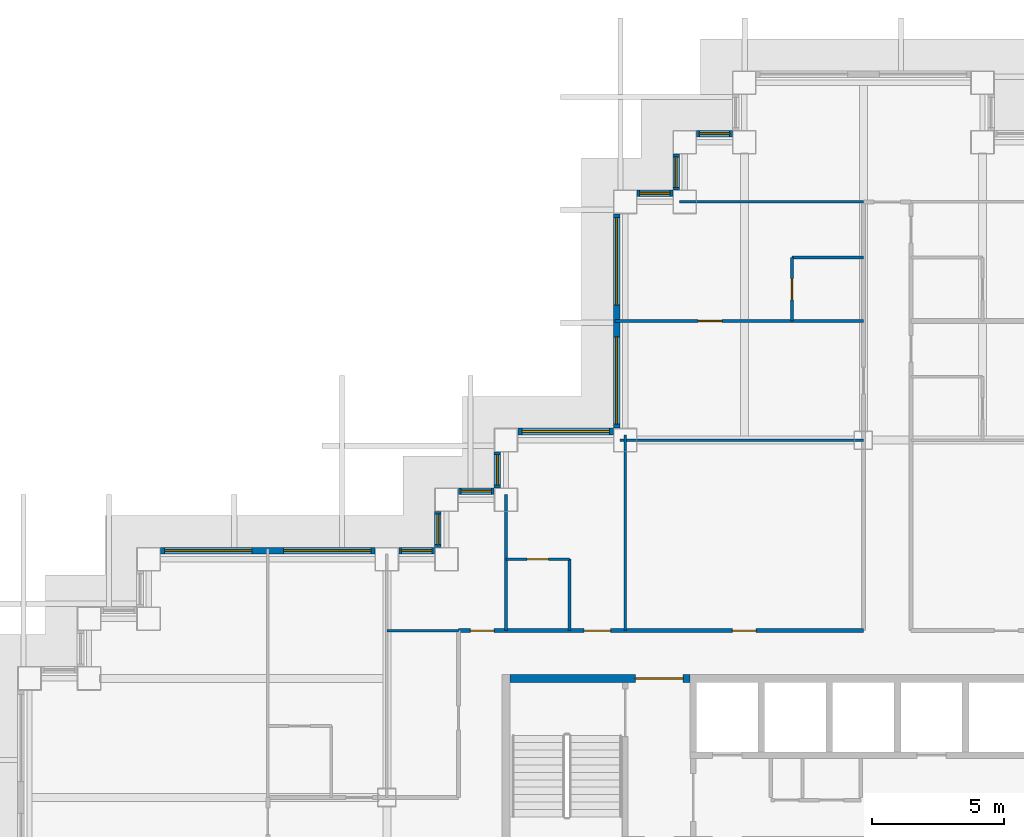
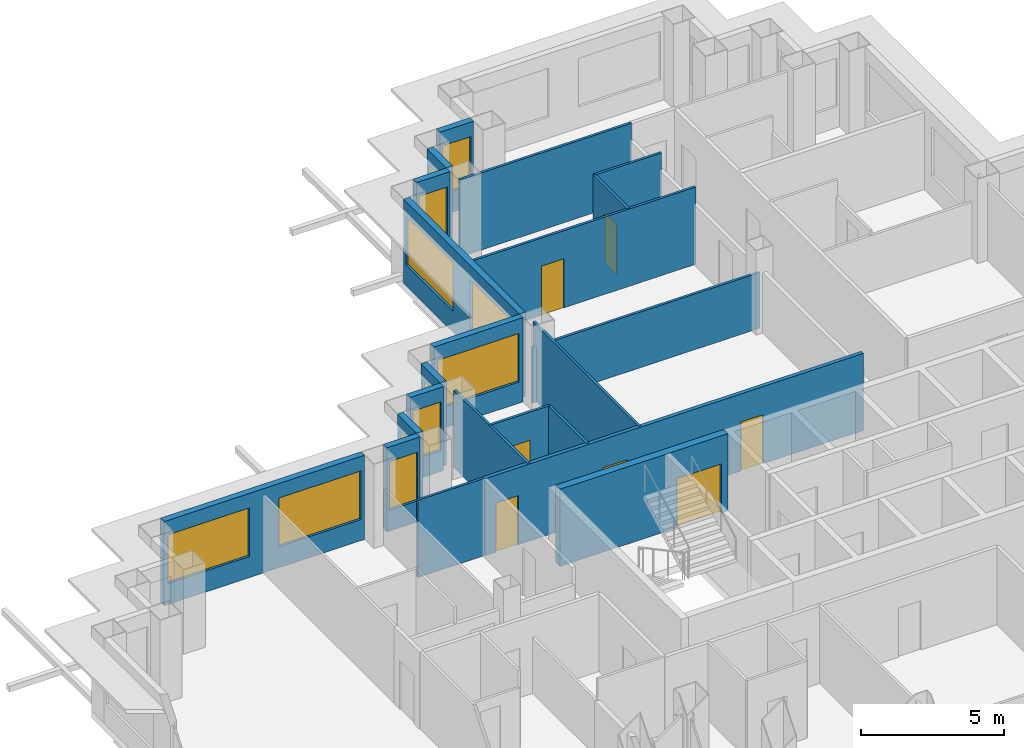
# One storey, part 7 of 15: 22 walls, 12 windows, 7 doors, 19 openings.
"""IFC4 building model written with IfcOpenShell, lengths in metres."""

from ifc_helpers import new_model, si_unit, direction, frame, frame_2d, origin, place, context, subcontext, project, spatial, rectangle, extrude, material, layer, layer_set, type_object, element, fill, save


model = new_model("IFC4")

# Units and contexts
model_context = context("Model", 3, precision=1e-05, world=origin(), true_north=direction((0.0, 1.0)))
body_context = subcontext(model_context, "Body", "Model", "MODEL_VIEW")
ifc_project = project(units=[si_unit("LENGTHUNIT", "METRE"), si_unit("AREAUNIT", "SQUARE_METRE"), si_unit("VOLUMEUNIT", "CUBIC_METRE"), si_unit("PLANEANGLEUNIT", "RADIAN"), si_unit("MASSUNIT", "GRAM", prefix="KILO")], contexts=[model_context])

# Site, building, storey
site_placement = place(None, origin())
site = spatial("IfcSite", under=ifc_project, at=site_placement, CompositionType="ELEMENT")
building_placement = place(site_placement, origin())
building = spatial("IfcBuilding", under=site, at=building_placement, Name="Caravel Reach Hotel and Residences", CompositionType="ELEMENT")
storey_placement = place(building_placement, frame((0.0, 0.0, 111.60009765625)))
storey = spatial("IfcBuildingStorey", under=building, at=storey_placement, Name="L27", CompositionType="ELEMENT", Elevation=111.60009765625)

# Wall, opening, door
ifc_material_1 = material(Name="Gypsum board on steel stud", Category="steel")
ifc_layer_1 = layer(ifc_material_1, 0.10009765625)
ifc_layer_set_1 = layer_set([ifc_layer_1], Name="Bathroom pod wall 100 mm")
wall_type_1 = type_object("IfcWallType", Name="Bathroom pod wall 100 mm", PredefinedType="PARTITIONING", material=ifc_layer_set_1)
wall_1_placement = place(storey_placement, frame((18.0, 36.0, 0.0), z_axis=(0.0, 0.0, 1.0), x_axis=(1.0, 0.0, 0.0)))
wall_1 = element("IfcWall", 1, at=wall_1_placement, inside=storey, type_object=wall_type_1, Name="L27 wall w075", PredefinedType="PARTITIONING", context=body_context, shape_type="SweptSolid", body=[
    extrude(rectangle(XDim=2.39990234375, YDim=0.10009765625, at=frame_2d((1.199951171875, 0.0))), origin(), (0.0, 0.0, 1.0), 3.2998046875),
])
opening_1_placement = place(wall_1_placement, frame((0.800048828125, 0.0, 0.0)))
opening_1 = element("IfcOpeningElement", 2, at=opening_1_placement, cuts=wall_1, Name="Opening D27-040", PredefinedType="OPENING", context=body_context, shape_type="SweptSolid", body=[
    extrude(rectangle(XDim=0.800048828125, YDim=2.10009765625, at=frame_2d((0.39990234375, 1.050048828125))), frame((0.0, 0.06005859375, 0.0), z_axis=(0.0, -1.0, 0.0), x_axis=(1.0, 0.0, 0.0)), (0.0, 0.0, 1.0), 0.1201171875),
])
ifc_material_2 = material(Name="Timber and steel door leaf", Category="steel")
door_type_1 = type_object("IfcDoorType", Name="Bathroom door 800 x 2100", OperationType="SINGLE_SWING_LEFT", PredefinedType="DOOR", material=ifc_material_2)
door_1_placement = place(opening_1_placement, origin())
door_1 = element("IfcDoor", 3, at=door_1_placement, inside=storey, type_object=door_type_1, Name="door D27-040", OperationType="SINGLE_SWING_LEFT", OverallHeight=2.10009765625, OverallWidth=0.800048828125, PredefinedType="DOOR", context=body_context, shape_type="SweptSolid", body=[
    extrude(rectangle(XDim=0.800048828125, YDim=2.10009765625, at=frame_2d((0.39990234375, 1.050048828125))), frame((0.0, 0.02490234375, 0.0), z_axis=(0.0, -1.0, 0.0), x_axis=(1.0, 0.0, 0.0)), (0.0, 0.0, 1.0), 0.050048828125),
])
fill(opening_1, door_1)

# Walls
for number, where, z_axis, x_axis, name in (
    (4, (28.800048828125, 47.39990234375, 0.0), (0.0, 0.0, 1.0), (1.0, 0.0, 0.0), "L27 wall w079"),
    (5, (20.39990234375, 33.300048828125, 0.0), (0.0, 0.0, 1.0), (0.0, 1.0, 0.0), "L27 wall w083"),
):
    element("IfcWall", number, at=place(storey_placement, frame(where, z_axis=z_axis, x_axis=x_axis)), inside=storey, type_object=wall_type_1, Name=name, PredefinedType="PARTITIONING", context=body_context, shape_type="SweptSolid", body=[
        extrude(rectangle(XDim=2.699951171875, YDim=0.10009765625, at=frame_2d((1.35009765625, 0.0))), origin(), (0.0, 0.0, 1.0), 3.2998046875),
    ])

# Wall, opening, door
wall_2_placement = place(storey_placement, frame((28.800048828125, 45.0, 0.0), z_axis=(0.0, 0.0, 1.0), x_axis=(0.0, 1.0, 0.0)))
wall_2 = element("IfcWall", 6, at=wall_2_placement, inside=storey, type_object=wall_type_1, Name="L27 wall w086", PredefinedType="PARTITIONING", context=body_context, shape_type="SweptSolid", body=[
    extrude(rectangle(XDim=2.39990234375, YDim=0.10009765625, at=frame_2d((1.199951171875, 0.0))), origin(), (0.0, 0.0, 1.0), 3.2998046875),
])
opening_2_placement = place(wall_2_placement, frame((0.800048828125, 0.0, 0.0)))
opening_2 = element("IfcOpeningElement", 7, at=opening_2_placement, cuts=wall_2, Name="Opening D27-026", PredefinedType="OPENING", context=body_context, shape_type="SweptSolid", body=[
    extrude(rectangle(XDim=0.800048828125, YDim=2.10009765625, at=frame_2d((0.39990234375, 1.050048828125))), frame((0.0, 0.06005859375, 0.0), z_axis=(0.0, -1.0, 0.0), x_axis=(1.0, 0.0, 0.0)), (0.0, 0.0, 1.0), 0.1201171875),
])
door_2_placement = place(opening_2_placement, origin())
door_2 = element("IfcDoor", 8, at=door_2_placement, inside=storey, type_object=door_type_1, Name="door D27-026", OperationType="SINGLE_SWING_LEFT", OverallHeight=2.10009765625, OverallWidth=0.800048828125, PredefinedType="DOOR", context=body_context, shape_type="SweptSolid", body=[
    extrude(rectangle(XDim=0.800048828125, YDim=2.10009765625, at=frame_2d((0.39990234375, 1.050048828125))), frame((0.0, 0.02490234375, 0.0), z_axis=(0.0, -1.0, 0.0), x_axis=(1.0, 0.0, 0.0)), (0.0, 0.0, 1.0), 0.050048828125),
])
fill(opening_2, door_2)

ifc_material_3 = material(Name="Concrete C60", Category="concrete")
ifc_layer_2 = layer(ifc_material_3, 0.300048828125)
ifc_layer_set_2 = layer_set([ifc_layer_2], Name="Core wall 300 mm EI 120")
wall_type_2 = type_object("IfcWallType", Name="Core wall 300 mm EI 120", PredefinedType="SHEAR", material=ifc_layer_set_2)
wall_3_placement = place(storey_placement, frame((18.14990234375, 31.5, 0.0), z_axis=(0.0, 0.0, 1.0), x_axis=(1.0, 0.0, 0.0)))
wall_3 = element("IfcWall", 9, at=wall_3_placement, inside=storey, type_object=wall_type_2, Name="L27 core wall N1", PredefinedType="SHEAR", context=body_context, shape_type="SweptSolid", body=[
    extrude(rectangle(XDim=6.796630859375, YDim=0.300048828125, at=frame_2d((3.3984375, 0.0))), origin(), (0.0, 0.0, 1.0), 3.2998046875),
])
opening_3_placement = place(wall_3_placement, frame((4.735595703125, 0.0, 0.0)))
opening_3 = element("IfcOpeningElement", 10, at=opening_3_placement, cuts=wall_3, Name="Opening D27-014", PredefinedType="OPENING", context=body_context, shape_type="SweptSolid", body=[
    extrude(rectangle(XDim=1.800048828125, YDim=2.10009765625, at=frame_2d((0.89990234375, 1.050048828125))), frame((0.0, 0.159912109375, 0.0), z_axis=(0.0, -1.0, 0.0), x_axis=(1.0, 0.0, 0.0)), (0.0, 0.0, 1.0), 0.320068359375),
])
ifc_material_4 = material(Name="Steel fire door leaf", Category="steel")
door_type_2 = type_object("IfcDoorType", Name="Fire lobby door pair 1800 x 2100 EI 90", OperationType="DOUBLE_DOOR_SINGLE_SWING", PredefinedType="DOOR", material=ifc_material_4)
door_3_placement = place(opening_3_placement, origin())
door_3 = element("IfcDoor", 11, at=door_3_placement, inside=storey, type_object=door_type_2, Name="lobby N door pair to corridor", OperationType="DOUBLE_DOOR_SINGLE_SWING", OverallHeight=2.10009765625, OverallWidth=1.800048828125, PredefinedType="DOOR", context=body_context, shape_type="SweptSolid", body=[
    extrude(rectangle(XDim=1.800048828125, YDim=2.10009765625, at=frame_2d((0.89990234375, 1.050048828125))), frame((0.0, 0.02490234375, 0.0), z_axis=(0.0, -1.0, 0.0), x_axis=(1.0, 0.0, 0.0)), (0.0, 0.0, 1.0), 0.050048828125),
])
fill(opening_3, door_3)

# Wall, openings, doors
ifc_material_5 = material(Name="Gypsum board on steel stud, fire-rated", Category="steel")
ifc_layer_3 = layer(ifc_material_5, 0.14990234375)
ifc_layer_set_3 = layer_set([ifc_layer_3], Name="Corridor wall 150 mm EI 60")
wall_type_3 = type_object("IfcWallType", Name="Corridor wall 150 mm EI 60", PredefinedType="PARTITIONING", material=ifc_layer_set_3)
wall_4_placement = place(storey_placement, frame((16.199951171875, 33.300048828125, 0.0), z_axis=(0.0, 0.0, 1.0), x_axis=(1.0, 0.0, 0.0)))
wall_4 = element("IfcWall", 12, at=wall_4_placement, inside=storey, type_object=wall_type_3, Name="L27 wall w018", PredefinedType="PARTITIONING", context=body_context, shape_type="SweptSolid", body=[
    extrude(rectangle(XDim=15.300048828125, YDim=0.14990234375, at=frame_2d((7.64990234375, 0.0))), origin(), (0.0, 0.0, 1.0), 3.2998046875),
])
opening_4_placement = place(wall_4_placement, frame((4.75, 0.0, 0.0)))
opening_4 = element("IfcOpeningElement", 13, at=opening_4_placement, cuts=wall_4, Name="Opening D27-039", PredefinedType="OPENING", context=body_context, shape_type="SweptSolid", body=[
    extrude(rectangle(XDim=1.0, YDim=2.10009765625, at=frame_2d((0.5, 1.050048828125))), frame((0.0, 0.0849609375, 0.0), z_axis=(0.0, -1.0, 0.0), x_axis=(1.0, 0.0, 0.0)), (0.0, 0.0, 1.0), 0.169921875),
])
opening_5_placement = place(wall_4_placement, frame((0.449951171875, 0.0, 0.0)))
opening_5 = element("IfcOpeningElement", 14, at=opening_5_placement, cuts=wall_4, Name="Opening D27-041", PredefinedType="OPENING", context=body_context, shape_type="SweptSolid", body=[
    extrude(rectangle(XDim=0.89990234375, YDim=2.10009765625, at=frame_2d((0.449951171875, 1.050048828125))), frame((0.0, 0.0849609375, 0.0), z_axis=(0.0, -1.0, 0.0), x_axis=(1.0, 0.0, 0.0)), (0.0, 0.0, 1.0), 0.169921875),
])
opening_6_placement = place(wall_4_placement, frame((10.35009765625, 0.0, 0.0)))
opening_6 = element("IfcOpeningElement", 15, at=opening_6_placement, cuts=wall_4, Name="Opening D27-050", PredefinedType="OPENING", context=body_context, shape_type="SweptSolid", body=[
    extrude(rectangle(XDim=0.89990234375, YDim=2.10009765625, at=frame_2d((0.449951171875, 1.050048828125))), frame((0.0, 0.0849609375, 0.0), z_axis=(0.0, -1.0, 0.0), x_axis=(1.0, 0.0, 0.0)), (0.0, 0.0, 1.0), 0.169921875),
])
ifc_material_6 = material(Name="Timber and steel door leaf", Category="steel")
door_type_3 = type_object("IfcDoorType", Name="Door 900 x 2100 timber", OperationType="SINGLE_SWING_LEFT", PredefinedType="DOOR", material=ifc_material_6)
door_4_placement = place(opening_5_placement, origin())
door_4 = element("IfcDoor", 16, at=door_4_placement, inside=storey, type_object=door_type_3, Name="door D27-041", OperationType="SINGLE_SWING_LEFT", OverallHeight=2.10009765625, OverallWidth=0.89990234375, PredefinedType="DOOR", context=body_context, shape_type="SweptSolid", body=[
    extrude(rectangle(XDim=0.89990234375, YDim=2.10009765625, at=frame_2d((0.449951171875, 1.050048828125))), frame((0.0, 0.02490234375, 0.0), z_axis=(0.0, -1.0, 0.0), x_axis=(1.0, 0.0, 0.0)), (0.0, 0.0, 1.0), 0.050048828125),
])
fill(opening_5, door_4)
door_5_placement = place(opening_6_placement, origin())
door_5 = element("IfcDoor", 17, at=door_5_placement, inside=storey, type_object=door_type_3, Name="door D27-050", OperationType="SINGLE_SWING_LEFT", OverallHeight=2.10009765625, OverallWidth=0.89990234375, PredefinedType="DOOR", context=body_context, shape_type="SweptSolid", body=[
    extrude(rectangle(XDim=0.89990234375, YDim=2.10009765625, at=frame_2d((0.449951171875, 1.050048828125))), frame((0.0, 0.02490234375, 0.0), z_axis=(0.0, -1.0, 0.0), x_axis=(1.0, 0.0, 0.0)), (0.0, 0.0, 1.0), 0.050048828125),
])
fill(opening_6, door_5)
ifc_material_7 = material(Name="Steel fire door leaf", Category="steel")
door_type_4 = type_object("IfcDoorType", Name="Guest room door 1000 x 2100 EI 30", OperationType="SINGLE_SWING_LEFT", PredefinedType="DOOR", material=ifc_material_7)
door_6_placement = place(opening_4_placement, origin())
door_6 = element("IfcDoor", 18, at=door_6_placement, inside=storey, type_object=door_type_4, Name="door D27-039", OperationType="SINGLE_SWING_RIGHT", OverallHeight=2.10009765625, OverallWidth=1.0, PredefinedType="DOOR", context=body_context, shape_type="SweptSolid", body=[
    extrude(rectangle(XDim=1.0, YDim=2.10009765625, at=frame_2d((0.5, 1.050048828125))), frame((0.0, 0.02490234375, 0.0), z_axis=(0.0, -1.0, 0.0), x_axis=(1.0, 0.0, 0.0)), (0.0, 0.0, 1.0), 0.050048828125),
])
fill(opening_4, door_6)

# Wall, opening, window
ifc_material_8 = material(Name="Insulated rainscreen wall, aluminium cladding", Category="aluminium")
ifc_layer_4 = layer(ifc_material_8, 0.25)
ifc_layer_set_4 = layer_set([ifc_layer_4], Name="EW1 Tower rainscreen wall")
wall_type_4 = type_object("IfcWallType", Name="EW1 Tower rainscreen wall", PredefinedType="SOLIDWALL", material=ifc_layer_set_4)
wall_5_placement = place(storey_placement, frame((26.550048828125, 52.074951171875, 0.0), z_axis=(0.0, 0.0, 1.0), x_axis=(-1.0, 0.0, 0.0)))
wall_5 = element("IfcWall", 19, at=wall_5_placement, inside=storey, type_object=wall_type_4, Name="External wall L27 N37.1", PredefinedType="SOLIDWALL", context=body_context, shape_type="SweptSolid", body=[
    extrude(rectangle(XDim=1.35009765625, YDim=0.25, at=frame_2d((0.675048828125, 0.0))), origin(), (0.0, 0.0, 1.0), 3.599853515625),
])
opening_7_placement = place(wall_5_placement, frame((0.10009765625, 0.0, 0.89990234375)))
opening_7 = element("IfcOpeningElement", 20, at=opening_7_placement, cuts=wall_5, Name="Opening WN8", PredefinedType="OPENING", context=body_context, shape_type="SweptSolid", body=[
    extrude(rectangle(XDim=1.14990234375, YDim=2.080078125, at=frame_2d((0.574951171875, 1.0400390625))), frame((0.0, 0.135009765625, 0.0), z_axis=(0.0, -1.0, 0.0), x_axis=(1.0, 0.0, 0.0)), (0.0, 0.0, 1.0), 0.27001953125),
])
ifc_material_9 = material(Name="Dark low-e glazing in black aluminium frame", Category="aluminium")
window_type_1 = type_object("IfcWindowType", Name="Hotel suite corner window 1150 x 2080", PartitioningType="SINGLE_PANEL", PredefinedType="WINDOW", material=ifc_material_9)
window_1_placement = place(opening_7_placement, origin())
window_1 = element("IfcWindow", 21, at=window_1_placement, inside=storey, type_object=window_type_1, Name="Window L27 N37.1.1", OverallHeight=2.080078125, OverallWidth=1.14990234375, PartitioningType="SINGLE_PANEL", PredefinedType="WINDOW", context=body_context, shape_type="SweptSolid", body=[
    extrude(rectangle(XDim=1.14990234375, YDim=2.080078125, at=frame_2d((0.574951171875, 1.0400390625))), frame((0.0, 0.030029296875, 0.0), z_axis=(0.0, -1.0, 0.0), x_axis=(1.0, 0.0, 0.0)), (0.0, 0.0, 1.0), 0.06005859375),
])
fill(opening_7, window_1)

wall_6_placement = place(storey_placement, frame((24.425048828125, 51.300048828125, 0.0), z_axis=(0.0, 0.0, 1.0), x_axis=(0.0, -1.0, 0.0)))
wall_6 = element("IfcWall", 22, at=wall_6_placement, inside=storey, type_object=wall_type_4, Name="External wall L27 W38.1", PredefinedType="SOLIDWALL", context=body_context, shape_type="SweptSolid", body=[
    extrude(rectangle(XDim=1.35009765625, YDim=0.25, at=frame_2d((0.675048828125, 0.0))), origin(), (0.0, 0.0, 1.0), 3.599853515625),
])
opening_8_placement = place(wall_6_placement, frame((0.10009765625, 0.0, 0.89990234375)))
opening_8 = element("IfcOpeningElement", 23, at=opening_8_placement, cuts=wall_6, Name="Opening WN8", PredefinedType="OPENING", context=body_context, shape_type="SweptSolid", body=[
    extrude(rectangle(XDim=1.14990234375, YDim=2.080078125, at=frame_2d((0.574951171875, 1.0400390625))), frame((0.0, 0.135009765625, 0.0), z_axis=(0.0, -1.0, 0.0), x_axis=(1.0, 0.0, 0.0)), (0.0, 0.0, 1.0), 0.27001953125),
])
window_2_placement = place(opening_8_placement, origin())
window_2 = element("IfcWindow", 24, at=window_2_placement, inside=storey, type_object=window_type_1, Name="Window L27 W38.1.1", OverallHeight=2.080078125, OverallWidth=1.14990234375, PartitioningType="SINGLE_PANEL", PredefinedType="WINDOW", context=body_context, shape_type="SweptSolid", body=[
    extrude(rectangle(XDim=1.14990234375, YDim=2.080078125, at=frame_2d((0.574951171875, 1.0400390625))), frame((0.0, 0.030029296875, 0.0), z_axis=(0.0, -1.0, 0.0), x_axis=(1.0, 0.0, 0.0)), (0.0, 0.0, 1.0), 0.06005859375),
])
fill(opening_8, window_2)

wall_7_placement = place(storey_placement, frame((24.300048828125, 49.824951171875, 0.0), z_axis=(0.0, 0.0, 1.0), x_axis=(-1.0, 0.0, 0.0)))
wall_7 = element("IfcWall", 25, at=wall_7_placement, inside=storey, type_object=wall_type_4, Name="External wall L27 N39.1", PredefinedType="SOLIDWALL", context=body_context, shape_type="SweptSolid", body=[
    extrude(rectangle(XDim=1.35009765625, YDim=0.25, at=frame_2d((0.675048828125, 0.0))), origin(), (0.0, 0.0, 1.0), 3.599853515625),
])
opening_9_placement = place(wall_7_placement, frame((0.10009765625, 0.0, 0.89990234375)))
opening_9 = element("IfcOpeningElement", 26, at=opening_9_placement, cuts=wall_7, Name="Opening WN8", PredefinedType="OPENING", context=body_context, shape_type="SweptSolid", body=[
    extrude(rectangle(XDim=1.14990234375, YDim=2.080078125, at=frame_2d((0.574951171875, 1.0400390625))), frame((0.0, 0.135009765625, 0.0), z_axis=(0.0, -1.0, 0.0), x_axis=(1.0, 0.0, 0.0)), (0.0, 0.0, 1.0), 0.27001953125),
])
window_3_placement = place(opening_9_placement, origin())
window_3 = element("IfcWindow", 27, at=window_3_placement, inside=storey, type_object=window_type_1, Name="Window L27 N39.1.1", OverallHeight=2.080078125, OverallWidth=1.14990234375, PartitioningType="SINGLE_PANEL", PredefinedType="WINDOW", context=body_context, shape_type="SweptSolid", body=[
    extrude(rectangle(XDim=1.14990234375, YDim=2.080078125, at=frame_2d((0.574951171875, 1.0400390625))), frame((0.0, 0.030029296875, 0.0), z_axis=(0.0, -1.0, 0.0), x_axis=(1.0, 0.0, 0.0)), (0.0, 0.0, 1.0), 0.06005859375),
])
fill(opening_9, window_3)

# Wall, openings, windows
wall_8_placement = place(storey_placement, frame((22.175048828125, 49.050048828125, 0.0), z_axis=(0.0, 0.0, 1.0), x_axis=(0.0, -1.0, 0.0)))
wall_8 = element("IfcWall", 28, at=wall_8_placement, inside=storey, type_object=wall_type_4, Name="External wall L27 W40.1", PredefinedType="SOLIDWALL", context=body_context, shape_type="SweptSolid", body=[
    extrude(rectangle(XDim=8.10009765625, YDim=0.25, at=frame_2d((4.050048828125, 0.0))), origin(), (0.0, 0.0, 1.0), 3.599853515625),
])
opening_10_placement = place(wall_8_placement, frame((0.14990234375, 0.0, 0.89990234375)))
opening_10 = element("IfcOpeningElement", 29, at=opening_10_placement, cuts=wall_8, Name="Opening WN4", PredefinedType="OPENING", context=body_context, shape_type="SweptSolid", body=[
    extrude(rectangle(XDim=3.300048828125, YDim=2.080078125, at=frame_2d((1.64990234375, 1.0400390625))), frame((0.0, 0.135009765625, 0.0), z_axis=(0.0, -1.0, 0.0), x_axis=(1.0, 0.0, 0.0)), (0.0, 0.0, 1.0), 0.27001953125),
])
opening_11_placement = place(wall_8_placement, frame((4.64990234375, 0.0, 0.89990234375)))
opening_11 = element("IfcOpeningElement", 30, at=opening_11_placement, cuts=wall_8, Name="Opening WN4", PredefinedType="OPENING", context=body_context, shape_type="SweptSolid", body=[
    extrude(rectangle(XDim=3.300048828125, YDim=2.080078125, at=frame_2d((1.64990234375, 1.0400390625))), frame((0.0, 0.135009765625, 0.0), z_axis=(0.0, -1.0, 0.0), x_axis=(1.0, 0.0, 0.0)), (0.0, 0.0, 1.0), 0.27001953125),
])
ifc_material_10 = material(Name="Dark low-e glazing in black aluminium frame", Category="aluminium")
window_type_2 = type_object("IfcWindowType", Name="Hotel guest room window 3300 x 2080", PartitioningType="SINGLE_PANEL", PredefinedType="WINDOW", material=ifc_material_10)
window_4_placement = place(opening_10_placement, origin())
window_4 = element("IfcWindow", 31, at=window_4_placement, inside=storey, type_object=window_type_2, Name="Window L27 W40.1.1", OverallHeight=2.080078125, OverallWidth=3.300048828125, PartitioningType="SINGLE_PANEL", PredefinedType="WINDOW", context=body_context, shape_type="SweptSolid", body=[
    extrude(rectangle(XDim=3.300048828125, YDim=2.080078125, at=frame_2d((1.64990234375, 1.0400390625))), frame((0.0, 0.030029296875, 0.0), z_axis=(0.0, -1.0, 0.0), x_axis=(1.0, 0.0, 0.0)), (0.0, 0.0, 1.0), 0.06005859375),
])
fill(opening_10, window_4)
window_5_placement = place(opening_11_placement, origin())
window_5 = element("IfcWindow", 32, at=window_5_placement, inside=storey, type_object=window_type_2, Name="Window L27 W40.1.2", OverallHeight=2.080078125, OverallWidth=3.300048828125, PartitioningType="SINGLE_PANEL", PredefinedType="WINDOW", context=body_context, shape_type="SweptSolid", body=[
    extrude(rectangle(XDim=3.300048828125, YDim=2.080078125, at=frame_2d((1.64990234375, 1.0400390625))), frame((0.0, 0.030029296875, 0.0), z_axis=(0.0, -1.0, 0.0), x_axis=(1.0, 0.0, 0.0)), (0.0, 0.0, 1.0), 0.06005859375),
])
fill(opening_11, window_5)

# Wall, opening, window
wall_9_placement = place(storey_placement, frame((22.050048828125, 40.824951171875, 0.0), z_axis=(0.0, 0.0, 1.0), x_axis=(-1.0, 0.0, 0.0)))
wall_9 = element("IfcWall", 33, at=wall_9_placement, inside=storey, type_object=wall_type_4, Name="External wall L27 N41.1", PredefinedType="SOLIDWALL", context=body_context, shape_type="SweptSolid", body=[
    extrude(rectangle(XDim=3.60009765625, YDim=0.25, at=frame_2d((1.800048828125, 0.0))), origin(), (0.0, 0.0, 1.0), 3.599853515625),
])
opening_12_placement = place(wall_9_placement, frame((0.14990234375, 0.0, 0.89990234375)))
opening_12 = element("IfcOpeningElement", 34, at=opening_12_placement, cuts=wall_9, Name="Opening WN4", PredefinedType="OPENING", context=body_context, shape_type="SweptSolid", body=[
    extrude(rectangle(XDim=3.300048828125, YDim=2.080078125, at=frame_2d((1.64990234375, 1.0400390625))), frame((0.0, 0.135009765625, 0.0), z_axis=(0.0, -1.0, 0.0), x_axis=(1.0, 0.0, 0.0)), (0.0, 0.0, 1.0), 0.27001953125),
])
window_6_placement = place(opening_12_placement, origin())
window_6 = element("IfcWindow", 35, at=window_6_placement, inside=storey, type_object=window_type_2, Name="Window L27 N41.1.1", OverallHeight=2.080078125, OverallWidth=3.300048828125, PartitioningType="SINGLE_PANEL", PredefinedType="WINDOW", context=body_context, shape_type="SweptSolid", body=[
    extrude(rectangle(XDim=3.300048828125, YDim=2.080078125, at=frame_2d((1.64990234375, 1.0400390625))), frame((0.0, 0.030029296875, 0.0), z_axis=(0.0, -1.0, 0.0), x_axis=(1.0, 0.0, 0.0)), (0.0, 0.0, 1.0), 0.06005859375),
])
fill(opening_12, window_6)

wall_10_placement = place(storey_placement, frame((17.675048828125, 40.050048828125, 0.0), z_axis=(0.0, 0.0, 1.0), x_axis=(0.0, -1.0, 0.0)))
wall_10 = element("IfcWall", 36, at=wall_10_placement, inside=storey, type_object=wall_type_4, Name="External wall L27 W42.1", PredefinedType="SOLIDWALL", context=body_context, shape_type="SweptSolid", body=[
    extrude(rectangle(XDim=1.35009765625, YDim=0.25, at=frame_2d((0.675048828125, 0.0))), origin(), (0.0, 0.0, 1.0), 3.599853515625),
])
opening_13_placement = place(wall_10_placement, frame((0.10009765625, 0.0, 0.89990234375)))
opening_13 = element("IfcOpeningElement", 37, at=opening_13_placement, cuts=wall_10, Name="Opening WN8", PredefinedType="OPENING", context=body_context, shape_type="SweptSolid", body=[
    extrude(rectangle(XDim=1.14990234375, YDim=2.080078125, at=frame_2d((0.574951171875, 1.0400390625))), frame((0.0, 0.135009765625, 0.0), z_axis=(0.0, -1.0, 0.0), x_axis=(1.0, 0.0, 0.0)), (0.0, 0.0, 1.0), 0.27001953125),
])
window_7_placement = place(opening_13_placement, origin())
window_7 = element("IfcWindow", 38, at=window_7_placement, inside=storey, type_object=window_type_1, Name="Window L27 W42.1.1", OverallHeight=2.080078125, OverallWidth=1.14990234375, PartitioningType="SINGLE_PANEL", PredefinedType="WINDOW", context=body_context, shape_type="SweptSolid", body=[
    extrude(rectangle(XDim=1.14990234375, YDim=2.080078125, at=frame_2d((0.574951171875, 1.0400390625))), frame((0.0, 0.030029296875, 0.0), z_axis=(0.0, -1.0, 0.0), x_axis=(1.0, 0.0, 0.0)), (0.0, 0.0, 1.0), 0.06005859375),
])
fill(opening_13, window_7)

wall_11_placement = place(storey_placement, frame((17.550048828125, 38.574951171875, 0.0), z_axis=(0.0, 0.0, 1.0), x_axis=(-1.0, 0.0, 0.0)))
wall_11 = element("IfcWall", 39, at=wall_11_placement, inside=storey, type_object=wall_type_4, Name="External wall L27 N43.1", PredefinedType="SOLIDWALL", context=body_context, shape_type="SweptSolid", body=[
    extrude(rectangle(XDim=1.35009765625, YDim=0.25, at=frame_2d((0.675048828125, 0.0))), origin(), (0.0, 0.0, 1.0), 3.599853515625),
])
opening_14_placement = place(wall_11_placement, frame((0.10009765625, 0.0, 0.89990234375)))
opening_14 = element("IfcOpeningElement", 40, at=opening_14_placement, cuts=wall_11, Name="Opening WN8", PredefinedType="OPENING", context=body_context, shape_type="SweptSolid", body=[
    extrude(rectangle(XDim=1.14990234375, YDim=2.080078125, at=frame_2d((0.574951171875, 1.0400390625))), frame((0.0, 0.135009765625, 0.0), z_axis=(0.0, -1.0, 0.0), x_axis=(1.0, 0.0, 0.0)), (0.0, 0.0, 1.0), 0.27001953125),
])
window_8_placement = place(opening_14_placement, origin())
window_8 = element("IfcWindow", 41, at=window_8_placement, inside=storey, type_object=window_type_1, Name="Window L27 N43.1.1", OverallHeight=2.080078125, OverallWidth=1.14990234375, PartitioningType="SINGLE_PANEL", PredefinedType="WINDOW", context=body_context, shape_type="SweptSolid", body=[
    extrude(rectangle(XDim=1.14990234375, YDim=2.080078125, at=frame_2d((0.574951171875, 1.0400390625))), frame((0.0, 0.030029296875, 0.0), z_axis=(0.0, -1.0, 0.0), x_axis=(1.0, 0.0, 0.0)), (0.0, 0.0, 1.0), 0.06005859375),
])
fill(opening_14, window_8)

wall_12_placement = place(storey_placement, frame((15.425048828125, 37.800048828125, 0.0), z_axis=(0.0, 0.0, 1.0), x_axis=(0.0, -1.0, 0.0)))
wall_12 = element("IfcWall", 42, at=wall_12_placement, inside=storey, type_object=wall_type_4, Name="External wall L27 W44.1", PredefinedType="SOLIDWALL", context=body_context, shape_type="SweptSolid", body=[
    extrude(rectangle(XDim=1.35009765625, YDim=0.25, at=frame_2d((0.675048828125, 0.0))), origin(), (0.0, 0.0, 1.0), 3.599853515625),
])
opening_15_placement = place(wall_12_placement, frame((0.10009765625, 0.0, 0.89990234375)))
opening_15 = element("IfcOpeningElement", 43, at=opening_15_placement, cuts=wall_12, Name="Opening WN8", PredefinedType="OPENING", context=body_context, shape_type="SweptSolid", body=[
    extrude(rectangle(XDim=1.14990234375, YDim=2.080078125, at=frame_2d((0.574951171875, 1.0400390625))), frame((0.0, 0.135009765625, 0.0), z_axis=(0.0, -1.0, 0.0), x_axis=(1.0, 0.0, 0.0)), (0.0, 0.0, 1.0), 0.27001953125),
])
window_9_placement = place(opening_15_placement, origin())
window_9 = element("IfcWindow", 44, at=window_9_placement, inside=storey, type_object=window_type_1, Name="Window L27 W44.1.1", OverallHeight=2.080078125, OverallWidth=1.14990234375, PartitioningType="SINGLE_PANEL", PredefinedType="WINDOW", context=body_context, shape_type="SweptSolid", body=[
    extrude(rectangle(XDim=1.14990234375, YDim=2.080078125, at=frame_2d((0.574951171875, 1.0400390625))), frame((0.0, 0.030029296875, 0.0), z_axis=(0.0, -1.0, 0.0), x_axis=(1.0, 0.0, 0.0)), (0.0, 0.0, 1.0), 0.06005859375),
])
fill(opening_15, window_9)

wall_13_placement = place(storey_placement, frame((15.300048828125, 36.324951171875, 0.0), z_axis=(0.0, 0.0, 1.0), x_axis=(-1.0, 0.0, 0.0)))
wall_13 = element("IfcWall", 45, at=wall_13_placement, inside=storey, type_object=wall_type_4, Name="External wall L27 N45.1", PredefinedType="SOLIDWALL", context=body_context, shape_type="SweptSolid", body=[
    extrude(rectangle(XDim=1.35009765625, YDim=0.25, at=frame_2d((0.675048828125, 0.0))), origin(), (0.0, 0.0, 1.0), 3.599853515625),
])
opening_16_placement = place(wall_13_placement, frame((0.10009765625, 0.0, 0.89990234375)))
opening_16 = element("IfcOpeningElement", 46, at=opening_16_placement, cuts=wall_13, Name="Opening WN8", PredefinedType="OPENING", context=body_context, shape_type="SweptSolid", body=[
    extrude(rectangle(XDim=1.14990234375, YDim=2.080078125, at=frame_2d((0.574951171875, 1.0400390625))), frame((0.0, 0.135009765625, 0.0), z_axis=(0.0, -1.0, 0.0), x_axis=(1.0, 0.0, 0.0)), (0.0, 0.0, 1.0), 0.27001953125),
])
window_10_placement = place(opening_16_placement, origin())
window_10 = element("IfcWindow", 47, at=window_10_placement, inside=storey, type_object=window_type_1, Name="Window L27 N45.1.1", OverallHeight=2.080078125, OverallWidth=1.14990234375, PartitioningType="SINGLE_PANEL", PredefinedType="WINDOW", context=body_context, shape_type="SweptSolid", body=[
    extrude(rectangle(XDim=1.14990234375, YDim=2.080078125, at=frame_2d((0.574951171875, 1.0400390625))), frame((0.0, 0.030029296875, 0.0), z_axis=(0.0, -1.0, 0.0), x_axis=(1.0, 0.0, 0.0)), (0.0, 0.0, 1.0), 0.06005859375),
])
fill(opening_16, window_10)

# Wall, openings, windows
wall_14_placement = place(storey_placement, frame((13.050048828125, 36.324951171875, 0.0), z_axis=(0.0, 0.0, 1.0), x_axis=(-1.0, 0.0, 0.0)))
wall_14 = element("IfcWall", 48, at=wall_14_placement, inside=storey, type_object=wall_type_4, Name="External wall L27 N45.2", PredefinedType="SOLIDWALL", context=body_context, shape_type="SweptSolid", body=[
    extrude(rectangle(XDim=8.10009765625, YDim=0.25, at=frame_2d((4.050048828125, 0.0))), origin(), (0.0, 0.0, 1.0), 3.599853515625),
])
opening_17_placement = place(wall_14_placement, frame((0.14990234375, 0.0, 0.89990234375)))
opening_17 = element("IfcOpeningElement", 49, at=opening_17_placement, cuts=wall_14, Name="Opening WN4", PredefinedType="OPENING", context=body_context, shape_type="SweptSolid", body=[
    extrude(rectangle(XDim=3.300048828125, YDim=2.080078125, at=frame_2d((1.64990234375, 1.0400390625))), frame((0.0, 0.135009765625, 0.0), z_axis=(0.0, -1.0, 0.0), x_axis=(1.0, 0.0, 0.0)), (0.0, 0.0, 1.0), 0.27001953125),
])
opening_18_placement = place(wall_14_placement, frame((4.64990234375, 0.0, 0.89990234375)))
opening_18 = element("IfcOpeningElement", 50, at=opening_18_placement, cuts=wall_14, Name="Opening WN4", PredefinedType="OPENING", context=body_context, shape_type="SweptSolid", body=[
    extrude(rectangle(XDim=3.300048828125, YDim=2.080078125, at=frame_2d((1.64990234375, 1.0400390625))), frame((0.0, 0.135009765625, 0.0), z_axis=(0.0, -1.0, 0.0), x_axis=(1.0, 0.0, 0.0)), (0.0, 0.0, 1.0), 0.27001953125),
])
window_11_placement = place(opening_17_placement, origin())
window_11 = element("IfcWindow", 51, at=window_11_placement, inside=storey, type_object=window_type_2, Name="Window L27 N45.2.1", OverallHeight=2.080078125, OverallWidth=3.300048828125, PartitioningType="SINGLE_PANEL", PredefinedType="WINDOW", context=body_context, shape_type="SweptSolid", body=[
    extrude(rectangle(XDim=3.300048828125, YDim=2.080078125, at=frame_2d((1.64990234375, 1.0400390625))), frame((0.0, 0.030029296875, 0.0), z_axis=(0.0, -1.0, 0.0), x_axis=(1.0, 0.0, 0.0)), (0.0, 0.0, 1.0), 0.06005859375),
])
fill(opening_17, window_11)
window_12_placement = place(opening_18_placement, origin())
window_12 = element("IfcWindow", 52, at=window_12_placement, inside=storey, type_object=window_type_2, Name="Window L27 N45.2.2", OverallHeight=2.080078125, OverallWidth=3.300048828125, PartitioningType="SINGLE_PANEL", PredefinedType="WINDOW", context=body_context, shape_type="SweptSolid", body=[
    extrude(rectangle(XDim=3.300048828125, YDim=2.080078125, at=frame_2d((1.64990234375, 1.0400390625))), frame((0.0, 0.030029296875, 0.0), z_axis=(0.0, -1.0, 0.0), x_axis=(1.0, 0.0, 0.0)), (0.0, 0.0, 1.0), 0.06005859375),
])
fill(opening_18, window_12)

# Walls
ifc_material_11 = material(Name="Gypsum board on steel stud", Category="steel")
ifc_layer_5 = layer(ifc_material_11, 0.10009765625)
ifc_layer_set_5 = layer_set([ifc_layer_5], Name="Partition 100 mm")
wall_type_5 = type_object("IfcWallType", Name="Partition 100 mm", PredefinedType="PARTITIONING", material=ifc_layer_set_5)
wall_15_placement = place(storey_placement, frame((13.5, 33.300048828125, 0.0), z_axis=(0.0, 0.0, 1.0), x_axis=(1.0, 0.0, 0.0)))
element("IfcWall", 53, at=wall_15_placement, inside=storey, type_object=wall_type_5, Name="L27 wall w041", PredefinedType="PARTITIONING", context=body_context, shape_type="SweptSolid", body=[
    extrude(rectangle(XDim=2.699951171875, YDim=0.10009765625, at=frame_2d((1.35009765625, 0.0))), origin(), (0.0, 0.0, 1.0), 3.2998046875),
])
wall_16_placement = place(storey_placement, frame((22.31005859375, 40.5, 0.0), z_axis=(0.0, 0.0, 1.0), x_axis=(1.0, 0.0, 0.0)))
element("IfcWall", 54, at=wall_16_placement, inside=storey, type_object=wall_type_5, Name="L27 wall w043", PredefinedType="PARTITIONING", context=body_context, shape_type="SweptSolid", body=[
    extrude(rectangle(XDim=9.18994140625, YDim=0.10009765625, at=frame_2d((4.594970703125, 0.0))), origin(), (0.0, 0.0, 1.0), 2.3798828125),
])

# Wall, opening, door
wall_17_placement = place(storey_placement, frame((22.110107421875, 45.0, 0.0), z_axis=(0.0, 0.0, 1.0), x_axis=(1.0, 0.0, 0.0)))
wall_17 = element("IfcWall", 55, at=wall_17_placement, inside=storey, type_object=wall_type_5, Name="L27 wall w044", PredefinedType="PARTITIONING", context=body_context, shape_type="SweptSolid", body=[
    extrude(rectangle(XDim=9.389892578125, YDim=0.10009765625, at=frame_2d((4.69482421875, 0.0))), origin(), (0.0, 0.0, 1.0), 3.2998046875),
])
opening_19_placement = place(wall_17_placement, frame((3.14990234375, 0.0, 0.0)))
opening_19 = element("IfcOpeningElement", 56, at=opening_19_placement, cuts=wall_17, Name="Opening D27-025", PredefinedType="OPENING", context=body_context, shape_type="SweptSolid", body=[
    extrude(rectangle(XDim=0.89990234375, YDim=2.10009765625, at=frame_2d((0.449951171875, 1.050048828125))), frame((0.0, 0.06005859375, 0.0), z_axis=(0.0, -1.0, 0.0), x_axis=(1.0, 0.0, 0.0)), (0.0, 0.0, 1.0), 0.1201171875),
])
door_7_placement = place(opening_19_placement, origin())
door_7 = element("IfcDoor", 57, at=door_7_placement, inside=storey, type_object=door_type_3, Name="door D27-025", OperationType="SINGLE_SWING_LEFT", OverallHeight=2.10009765625, OverallWidth=0.89990234375, PredefinedType="DOOR", context=body_context, shape_type="SweptSolid", body=[
    extrude(rectangle(XDim=0.89990234375, YDim=2.10009765625, at=frame_2d((0.449951171875, 1.050048828125))), frame((0.0, 0.02490234375, 0.0), z_axis=(0.0, -1.0, 0.0), x_axis=(1.0, 0.0, 0.0)), (0.0, 0.0, 1.0), 0.050048828125),
])
fill(opening_19, door_7)

# Walls
wall_18_placement = place(storey_placement, frame((24.56005859375, 49.5, 0.0), z_axis=(0.0, 0.0, 1.0), x_axis=(1.0, 0.0, 0.0)))
element("IfcWall", 58, at=wall_18_placement, inside=storey, type_object=wall_type_5, Name="L27 wall w046", PredefinedType="PARTITIONING", context=body_context, shape_type="SweptSolid", body=[
    extrude(rectangle(XDim=6.93994140625, YDim=0.10009765625, at=frame_2d((3.469970703125, 0.0))), origin(), (0.0, 0.0, 1.0), 3.2998046875),
])
wall_19_placement = place(storey_placement, frame((18.0, 33.300048828125, 0.0), z_axis=(0.0, 0.0, 1.0), x_axis=(0.0, 1.0, 0.0)))
element("IfcWall", 59, at=wall_19_placement, inside=storey, type_object=wall_type_5, Name="L27 wall w052", PredefinedType="PARTITIONING", context=body_context, shape_type="SweptSolid", body=[
    extrude(rectangle(XDim=5.139892578125, YDim=0.10009765625, at=frame_2d((2.56982421875, 0.0))), origin(), (0.0, 0.0, 1.0), 3.2998046875),
])
wall_20_placement = place(storey_placement, frame((22.5, 33.300048828125, 0.0), z_axis=(0.0, 0.0, 1.0), x_axis=(0.0, 1.0, 0.0)))
element("IfcWall", 60, at=wall_20_placement, inside=storey, type_object=wall_type_5, Name="L27 wall w053", PredefinedType="PARTITIONING", context=body_context, shape_type="SweptSolid", body=[
    extrude(rectangle(XDim=7.389892578125, YDim=0.10009765625, at=frame_2d((3.69482421875, 0.0))), origin(), (0.0, 0.0, 1.0), 3.2998046875),
])

save(model, "model.ifc")
